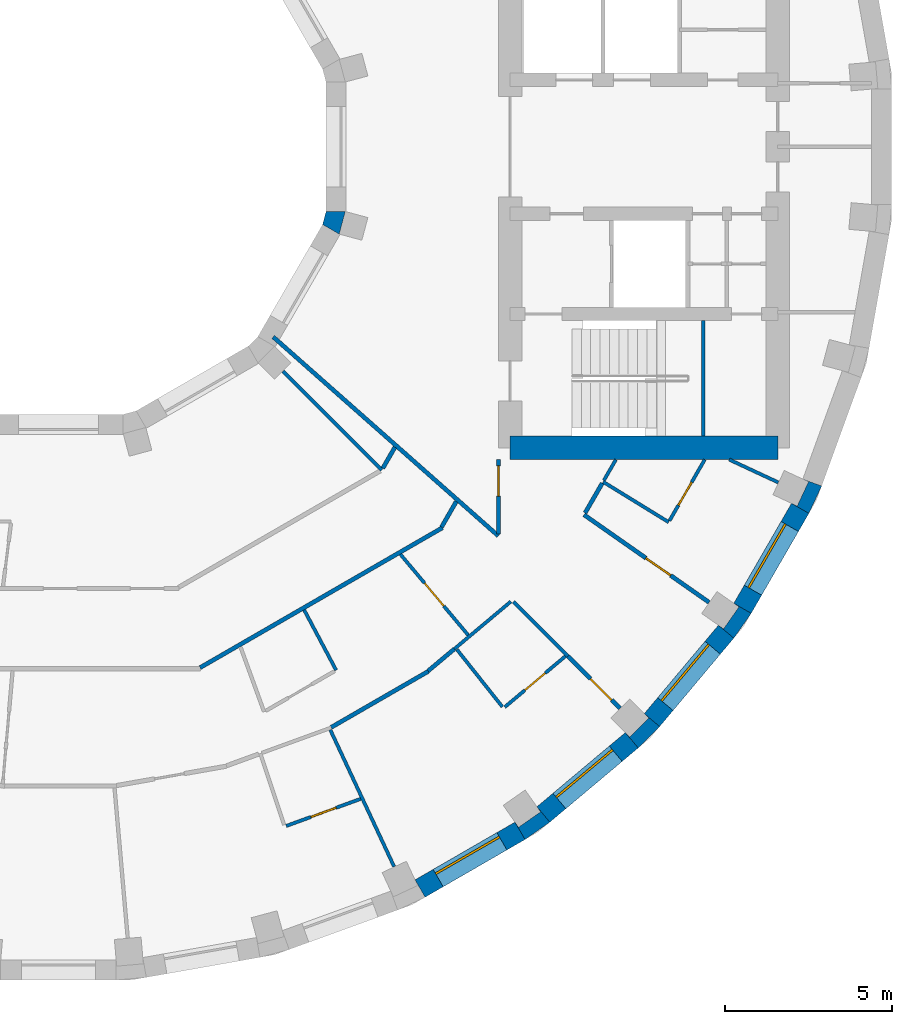
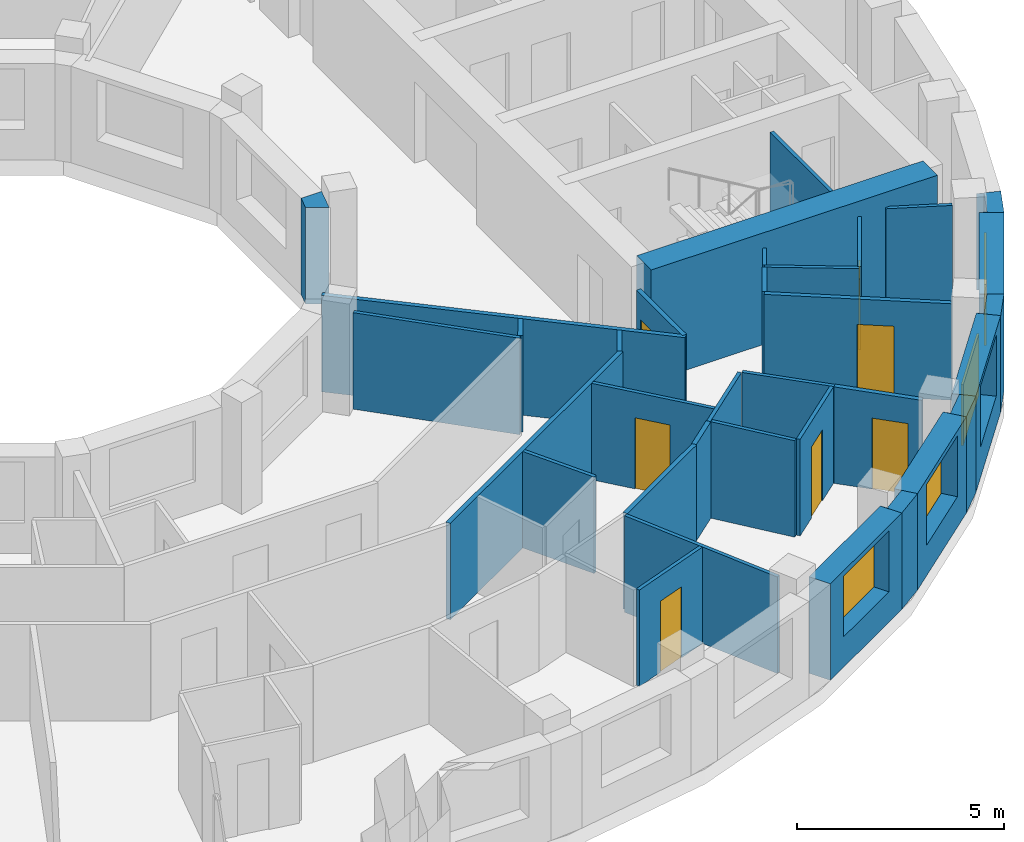
# One storey, part 7 of 13: 34 walls, 7 doors, 4 windows, 11 openings.
"""IFC4 building model written with IfcOpenShell, lengths in metres."""

from ifc_helpers import new_model, si_unit, direction, frame, frame_2d, origin, place, context, subcontext, project, spatial, polyline, rectangle, outline, extrude, material, layer, layer_set, type_object, element, fill, save


model = new_model("IFC4")

# Units and contexts
model_context = context("Model", 3, precision=1e-05, world=origin(), true_north=direction((0.0, 1.0)))
body_context = subcontext(model_context, "Body", "Model", "MODEL_VIEW")
ifc_project = project(units=[si_unit("LENGTHUNIT", "METRE"), si_unit("AREAUNIT", "SQUARE_METRE"), si_unit("VOLUMEUNIT", "CUBIC_METRE"), si_unit("PLANEANGLEUNIT", "RADIAN"), si_unit("MASSUNIT", "GRAM", prefix="KILO")], contexts=[model_context])

# Site, building, storey
site_placement = place(None, origin())
site = spatial("IfcSite", under=ifc_project, at=site_placement, CompositionType="ELEMENT")
building_placement = place(site_placement, origin())
building = spatial("IfcBuilding", under=site, at=building_placement, Name="Saqina Gate Tower", CompositionType="ELEMENT")
storey_placement = place(building_placement, frame((0.0, 0.0, 207.0)))
storey = spatial("IfcBuildingStorey", under=building, at=storey_placement, Name="L59", CompositionType="ELEMENT", Elevation=207.0)

# Walls
ifc_material_1 = material(Name="Brick masonry (buff)", Category="masonry")
wall_type_1 = type_object("IfcWallType", Name="BRICK PIER COPING BUFF", PredefinedType="SOLIDWALL", material=ifc_material_1)
wall_1_placement = place(storey_placement, origin())
element("IfcWall", 1, at=wall_1_placement, inside=storey, type_object=wall_type_1, Name="Pier cap L59 column 31", PredefinedType="SOLIDWALL", context=body_context, shape_type="SweptSolid", body=[
    extrude(outline(polyline([(13.9462890625, -20.705810546875), (14.687255859375, -20.18701171875), (14.301513671875, -19.727294921875), (14.408935546875, -19.880859375), (13.753662109375, -20.339599609375), (13.646240234375, -20.186279296875), (13.9462890625, -20.705810546875)])), origin(), (0.0, 0.0, 1.0), 2.85009765625),
])
wall_2_placement = place(storey_placement, origin())
element("IfcWall", 2, at=wall_2_placement, inside=storey, type_object=wall_type_1, Name="Pier cap L59 column 32", PredefinedType="SOLIDWALL", context=body_context, shape_type="SweptSolid", body=[
    extrude(outline(polyline([(17.969482421875, -17.329833984375), (17.510009765625, -16.944091796875), (17.642333984375, -17.07666015625), (17.07666015625, -17.642333984375), (16.944091796875, -17.510009765625), (17.329833984375, -17.969482421875), (17.969482421875, -17.329833984375)])), origin(), (0.0, 0.0, 1.0), 2.85009765625),
])
wall_3_placement = place(storey_placement, origin())
element("IfcWall", 3, at=wall_3_placement, inside=storey, type_object=wall_type_1, Name="Pier cap L59 column 33", PredefinedType="SOLIDWALL", context=body_context, shape_type="SweptSolid", body=[
    extrude(outline(polyline([(20.18701171875, -14.687255859375), (20.705810546875, -13.9462890625), (20.186279296875, -13.646240234375), (20.339599609375, -13.753662109375), (19.880859375, -14.408935546875), (19.727294921875, -14.301513671875), (20.18701171875, -14.687255859375)])), origin(), (0.0, 0.0, 1.0), 2.85009765625),
])
wall_4_placement = place(storey_placement, origin())
element("IfcWall", 4, at=wall_4_placement, inside=storey, type_object=wall_type_1, Name="Pier cap L59 column 34", PredefinedType="SOLIDWALL", context=body_context, shape_type="SweptSolid", body=[
    extrude(outline(polyline([(22.81298828125, -10.138916015625), (22.249267578125, -9.93359375), (22.4189453125, -10.0126953125), (22.080810546875, -10.73779296875), (21.9111328125, -10.65869140625), (22.4306640625, -10.958740234375), (22.81298828125, -10.138916015625)])), origin(), (0.0, 0.0, 1.0), 2.85009765625),
])

# Wall, opening, window
ifc_material_2 = material(Name="Brick masonry (buff)", Category="masonry")
ifc_layer_1 = layer(ifc_material_2, 0.60009765625)
ifc_layer_set_1 = layer_set([ifc_layer_1], Name="FW-BRICK-BUFF")
wall_type_2 = type_object("IfcWallType", Name="FW-BRICK-BUFF", PredefinedType="SOLIDWALL", material=ifc_layer_set_1)
wall_5_placement = place(storey_placement, frame((10.80859375, -22.1708984375, 0.0), z_axis=(0.0, 0.0, 1.0), x_axis=(0.86602648383, 0.499998129301, 0.0)))
wall_5 = element("IfcWall", 5, at=wall_5_placement, inside=storey, type_object=wall_type_2, Name="Facade wall L59 facet 30", PredefinedType="SOLIDWALL", context=body_context, shape_type="SweptSolid", body=[
    extrude(rectangle(XDim=3.44970703125, YDim=0.60009765625, at=frame_2d((1.724853515625, 0.0))), origin(), (0.0, 0.0, 1.0), 2.85009765625),
])
opening_1_placement = place(wall_5_placement, frame((0.625, 0.0, 0.89990234375)))
opening_1 = element("IfcOpeningElement", 6, at=opening_1_placement, cuts=wall_5, Name="Opening G17-W19", PredefinedType="OPENING", context=body_context, shape_type="SweptSolid", body=[
    extrude(rectangle(XDim=2.199951171875, YDim=1.800048828125, at=frame_2d((1.10009765625, 0.89990234375))), frame((0.0, 0.31201171875, 0.0), z_axis=(0.0, -1.0, 0.0), x_axis=(1.0, 0.0, 0.0)), (0.0, 0.0, 1.0), 0.6240234375),
])
ifc_material_3 = material(Name="Aluminium glazing", Category="aluminium")
window_type = type_object("IfcWindowType", Name="WN-C", PartitioningType="SINGLE_PANEL", PredefinedType="WINDOW", material=ifc_material_3)
window_1_placement = place(opening_1_placement, origin())
window_1 = element("IfcWindow", 7, at=window_1_placement, inside=storey, type_object=window_type, Name="Window L59 facet 30", OverallHeight=1.800048828125, OverallWidth=2.199951171875, PartitioningType="SINGLE_PANEL", PredefinedType="WINDOW", context=body_context, shape_type="SweptSolid", body=[
    extrude(rectangle(XDim=2.199951171875, YDim=1.800048828125, at=frame_2d((1.10009765625, 0.89990234375))), frame((0.0, 0.179931640625, 0.0), z_axis=(0.0, -1.0, 0.0), x_axis=(1.0, 0.0, 0.0)), (0.0, 0.0, 1.0), 0.06005859375),
])
fill(opening_1, window_1)

wall_6_placement = place(storey_placement, frame((14.494384765625, -19.95703125, 0.0), z_axis=(0.0, 0.0, 1.0), x_axis=(0.766058884809, 0.642770398358, 0.0)))
wall_6 = element("IfcWall", 8, at=wall_6_placement, inside=storey, type_object=wall_type_2, Name="Facade wall L59 facet 31", PredefinedType="SOLIDWALL", context=body_context, shape_type="SweptSolid", body=[
    extrude(rectangle(XDim=3.449462890625, YDim=0.60009765625, at=frame_2d((1.724609375, 0.0))), origin(), (0.0, 0.0, 1.0), 2.85009765625),
])
opening_2_placement = place(wall_6_placement, frame((0.625, 0.0, 0.89990234375)))
opening_2 = element("IfcOpeningElement", 9, at=opening_2_placement, cuts=wall_6, Name="Opening G17-W20", PredefinedType="OPENING", context=body_context, shape_type="SweptSolid", body=[
    extrude(rectangle(XDim=2.199951171875, YDim=1.800048828125, at=frame_2d((1.10009765625, 0.89990234375))), frame((0.0, 0.31201171875, 0.0), z_axis=(0.0, -1.0, 0.0), x_axis=(1.0, 0.0, 0.0)), (0.0, 0.0, 1.0), 0.6240234375),
])
window_2_placement = place(opening_2_placement, origin())
window_2 = element("IfcWindow", 10, at=window_2_placement, inside=storey, type_object=window_type, Name="Window L59 facet 31", OverallHeight=1.800048828125, OverallWidth=2.199951171875, PartitioningType="SINGLE_PANEL", PredefinedType="WINDOW", context=body_context, shape_type="SweptSolid", body=[
    extrude(rectangle(XDim=2.199951171875, YDim=1.800048828125, at=frame_2d((1.10009765625, 0.89990234375))), frame((0.0, 0.179931640625, 0.0), z_axis=(0.0, -1.0, 0.0), x_axis=(1.0, 0.0, 0.0)), (0.0, 0.0, 1.0), 0.06005859375),
])
fill(opening_2, window_2)

wall_7_placement = place(storey_placement, frame((17.73974609375, -17.136962890625, 0.0), z_axis=(0.0, 0.0, 1.0), x_axis=(0.642770398358, 0.766058884809, 0.0)))
wall_7 = element("IfcWall", 11, at=wall_7_placement, inside=storey, type_object=wall_type_2, Name="Facade wall L59 facet 32", PredefinedType="SOLIDWALL", context=body_context, shape_type="SweptSolid", body=[
    extrude(rectangle(XDim=3.449462890625, YDim=0.60009765625, at=frame_2d((1.724609375, 0.0))), origin(), (0.0, 0.0, 1.0), 2.85009765625),
])
opening_3_placement = place(wall_7_placement, frame((0.625, 0.0, 0.89990234375)))
opening_3 = element("IfcOpeningElement", 12, at=opening_3_placement, cuts=wall_7, Name="Opening G17-W21", PredefinedType="OPENING", context=body_context, shape_type="SweptSolid", body=[
    extrude(rectangle(XDim=2.199951171875, YDim=1.800048828125, at=frame_2d((1.10009765625, 0.89990234375))), frame((0.0, 0.31201171875, 0.0), z_axis=(0.0, -1.0, 0.0), x_axis=(1.0, 0.0, 0.0)), (0.0, 0.0, 1.0), 0.6240234375),
])
window_3_placement = place(opening_3_placement, origin())
window_3 = element("IfcWindow", 13, at=window_3_placement, inside=storey, type_object=window_type, Name="Window L59 facet 32", OverallHeight=1.800048828125, OverallWidth=2.199951171875, PartitioningType="SINGLE_PANEL", PredefinedType="WINDOW", context=body_context, shape_type="SweptSolid", body=[
    extrude(rectangle(XDim=2.199951171875, YDim=1.800048828125, at=frame_2d((1.10009765625, 0.89990234375))), frame((0.0, 0.179931640625, 0.0), z_axis=(0.0, -1.0, 0.0), x_axis=(1.0, 0.0, 0.0)), (0.0, 0.0, 1.0), 0.06005859375),
])
fill(opening_3, window_3)

wall_8_placement = place(storey_placement, frame((20.446044921875, -13.796142578125, 0.0), z_axis=(0.0, 0.0, 1.0), x_axis=(0.499998129301, 0.86602648383, 0.0)))
wall_8 = element("IfcWall", 14, at=wall_8_placement, inside=storey, type_object=wall_type_2, Name="Facade wall L59 facet 33", PredefinedType="SOLIDWALL", context=body_context, shape_type="SweptSolid", body=[
    extrude(rectangle(XDim=3.44970703125, YDim=0.60009765625, at=frame_2d((1.724853515625, 0.0))), origin(), (0.0, 0.0, 1.0), 2.85009765625),
])
opening_4_placement = place(wall_8_placement, frame((0.625, 0.0, 0.89990234375)))
opening_4 = element("IfcOpeningElement", 15, at=opening_4_placement, cuts=wall_8, Name="Opening G17-W22", PredefinedType="OPENING", context=body_context, shape_type="SweptSolid", body=[
    extrude(rectangle(XDim=2.199951171875, YDim=1.800048828125, at=frame_2d((1.10009765625, 0.89990234375))), frame((0.0, 0.31201171875, 0.0), z_axis=(0.0, -1.0, 0.0), x_axis=(1.0, 0.0, 0.0)), (0.0, 0.0, 1.0), 0.6240234375),
])
window_4_placement = place(opening_4_placement, origin())
window_4 = element("IfcWindow", 16, at=window_4_placement, inside=storey, type_object=window_type, Name="Window L59 facet 33", OverallHeight=1.800048828125, OverallWidth=2.199951171875, PartitioningType="SINGLE_PANEL", PredefinedType="WINDOW", context=body_context, shape_type="SweptSolid", body=[
    extrude(rectangle(XDim=2.199951171875, YDim=1.800048828125, at=frame_2d((1.10009765625, 0.89990234375))), frame((0.0, 0.179931640625, 0.0), z_axis=(0.0, -1.0, 0.0), x_axis=(1.0, 0.0, 0.0)), (0.0, 0.0, 1.0), 0.06005859375),
])
fill(opening_4, window_4)

# Walls
ifc_material_4 = material(Name="Gypsum board on steel studs, 100 mm", Category="steel")
ifc_layer_2 = layer(ifc_material_4, 0.10009765625)
ifc_layer_set_2 = layer_set([ifc_layer_2], Name="PARTITION 100")
wall_type_3 = type_object("IfcWallType", Name="PARTITION 100", PredefinedType="PARTITIONING", material=ifc_layer_set_2)
wall_9_placement = place(storey_placement, frame((8.125244140625, -17.4267578125, 0.0), z_axis=(0.0, 0.0, 1.0), x_axis=(0.422852881861, -0.906198344901, 0.0)))
element("IfcWall", 17, at=wall_9_placement, inside=storey, type_object=wall_type_3, Name="PARTITION PW3-07", PredefinedType="PARTITIONING", context=body_context, shape_type="SweptSolid", body=[
    extrude(rectangle(XDim=4.51220703125, YDim=0.10009765625, at=frame_2d((2.256103515625, 0.0))), origin(), (0.0, 0.0, 1.0), 2.85009765625),
])
wall_10_placement = place(storey_placement, frame((7.344970703125, -13.845458984375, 0.0), z_axis=(0.0, 0.0, 1.0), x_axis=(0.46899451783, -0.883201076905, 0.0)))
element("IfcWall", 18, at=wall_10_placement, inside=storey, type_object=wall_type_3, Name="PARTITION PW3-09", PredefinedType="PARTITIONING", context=body_context, shape_type="SweptSolid", body=[
    extrude(rectangle(XDim=2.036376953125, YDim=0.10009765625, at=frame_2d((1.01806640625, 0.0))), origin(), (0.0, 0.0, 1.0), 2.85009765625),
])
wall_11_placement = place(storey_placement, frame((11.91162109375, -15.028076171875, 0.0), z_axis=(0.0, 0.0, 1.0), x_axis=(0.621158069359, -0.783685302191, 0.0)))
element("IfcWall", 19, at=wall_11_placement, inside=storey, type_object=wall_type_3, Name="PARTITION PW3-13", PredefinedType="PARTITIONING", context=body_context, shape_type="SweptSolid", body=[
    extrude(rectangle(XDim=2.18408203125, YDim=0.10009765625, at=frame_2d((1.092041015625, 0.0))), origin(), (0.0, 0.0, 1.0), 2.85009765625),
])

# Wall, opening, door
wall_12_placement = place(storey_placement, frame((10.222900390625, -12.183837890625, 0.0), z_axis=(0.0, 0.0, 1.0), x_axis=(0.642811941649, -0.766024025519, 0.0)))
wall_12 = element("IfcWall", 20, at=wall_12_placement, inside=storey, type_object=wall_type_3, Name="PARTITION PW3-16", PredefinedType="PARTITIONING", context=body_context, shape_type="SweptSolid", body=[
    extrude(rectangle(XDim=3.1484375, YDim=0.10009765625, at=frame_2d((1.57421875, 0.0))), origin(), (0.0, 0.0, 1.0), 2.85009765625),
])
opening_5_placement = place(wall_12_placement, frame((1.117919921875, 0.0, 0.0)))
opening_5 = element("IfcOpeningElement", 21, at=opening_5_placement, cuts=wall_12, Name="Opening G17-D42", PredefinedType="OPENING", context=body_context, shape_type="SweptSolid", body=[
    extrude(rectangle(XDim=0.89990234375, YDim=2.10009765625, at=frame_2d((0.449951171875, 1.050048828125))), frame((0.0, 0.06201171875, 0.0), z_axis=(0.0, -1.0, 0.0), x_axis=(1.0, 0.0, 0.0)), (0.0, 0.0, 1.0), 0.1240234375),
])
ifc_material_5 = material(Name="Timber door leaf, 900 mm", Category="wood")
door_type_1 = type_object("IfcDoorType", Name="DOOR 900 TIMBER", OperationType="SINGLE_SWING_LEFT", PredefinedType="DOOR", material=ifc_material_5)
door_1_placement = place(opening_5_placement, frame((0.89990234375, 0.0, 0.0), z_axis=(0.0, 0.0, 1.0), x_axis=(-1.0, 0.0, 0.0)))
door_1 = element("IfcDoor", 22, at=door_1_placement, inside=storey, type_object=door_type_1, Name="DOOR G17-D42", OperationType="SINGLE_SWING_RIGHT", OverallHeight=2.10009765625, OverallWidth=0.89990234375, PredefinedType="DOOR", context=body_context, shape_type="SweptSolid", body=[
    extrude(rectangle(XDim=0.89990234375, YDim=2.10009765625, at=frame_2d((0.449951171875, 1.050048828125))), frame((0.0, 0.02490234375, 0.0), z_axis=(0.0, -1.0, 0.0), x_axis=(1.0, 0.0, 0.0)), (0.0, 0.0, 1.0), 0.050048828125),
])
fill(opening_5, door_1)

# Walls
wall_13_placement = place(storey_placement, frame((13.596923828125, -13.597900390625, 0.0), z_axis=(0.0, 0.0, 1.0), x_axis=(0.707265532937, -0.706947993787, 0.0)))
element("IfcWall", 23, at=wall_13_placement, inside=storey, type_object=wall_type_3, Name="PARTITION PW3-21", PredefinedType="PARTITIONING", context=body_context, shape_type="SweptSolid", body=[
    extrude(rectangle(XDim=2.306640625, YDim=0.10009765625, at=frame_2d((1.1533203125, 0.0))), origin(), (0.0, 0.0, 1.0), 2.85009765625),
])
wall_14_placement = place(storey_placement, frame((6.7119140625, -6.7119140625, 0.0), z_axis=(0.0, 0.0, 1.0), x_axis=(0.707106781187, -0.707106781187, 0.0)))
element("IfcWall", 24, at=wall_14_placement, inside=storey, type_object=wall_type_3, Name="PARTITION PW3-22", PredefinedType="PARTITIONING", context=body_context, shape_type="SweptSolid", body=[
    extrude(rectangle(XDim=4.173583984375, YDim=0.10009765625, at=frame_2d((2.0869140625, 0.0))), origin(), (0.0, 0.0, 1.0), 2.85009765625),
])
wall_15_placement = place(storey_placement, frame((16.279052734375, -10.013916015625, 0.0), z_axis=(0.0, 0.0, 1.0), x_axis=(0.851672886374, -0.524073749214, 0.0)))
element("IfcWall", 25, at=wall_15_placement, inside=storey, type_object=wall_type_3, Name="PARTITION PW3-27", PredefinedType="PARTITIONING", context=body_context, shape_type="SweptSolid", body=[
    extrude(rectangle(XDim=2.30126953125, YDim=0.10009765625, at=frame_2d((1.150634765625, 0.0))), origin(), (0.0, 0.0, 1.0), 2.85009765625),
])
wall_16_placement = place(storey_placement, frame((20.051025390625, -9.35009765625, 0.0), z_axis=(0.0, 0.0, 1.0), x_axis=(0.906329754533, -0.422571149096, 0.0)))
element("IfcWall", 26, at=wall_16_placement, inside=storey, type_object=wall_type_3, Name="PARTITION PW3-32", PredefinedType="PARTITIONING", context=body_context, shape_type="SweptSolid", body=[
    extrude(rectangle(XDim=1.615966796875, YDim=0.10009765625, at=frame_2d((0.80810546875, 0.0))), origin(), (0.0, 0.0, 1.0), 2.85009765625),
])

# Wall, opening, door
wall_17_placement = place(storey_placement, frame((6.806884765625, -20.301025390625, 0.0), z_axis=(0.0, 0.0, 1.0), x_axis=(0.939763340539, 0.341825779863, 0.0)))
wall_17 = element("IfcWall", 27, at=wall_17_placement, inside=storey, type_object=wall_type_3, Name="PARTITION PW3-39", PredefinedType="PARTITIONING", context=body_context, shape_type="SweptSolid", body=[
    extrude(rectangle(XDim=2.369873046875, YDim=0.10009765625, at=frame_2d((1.18505859375, 0.0))), origin(), (0.0, 0.0, 1.0), 2.85009765625),
])
opening_6_placement = place(wall_17_placement, frame((0.785400390625, 0.0, 0.0)))
opening_6 = element("IfcOpeningElement", 28, at=opening_6_placement, cuts=wall_17, Name="Opening G17-D40", PredefinedType="OPENING", context=body_context, shape_type="SweptSolid", body=[
    extrude(rectangle(XDim=0.800048828125, YDim=2.10009765625, at=frame_2d((0.39990234375, 1.050048828125))), frame((0.0, 0.06201171875, 0.0), z_axis=(0.0, -1.0, 0.0), x_axis=(1.0, 0.0, 0.0)), (0.0, 0.0, 1.0), 0.1240234375),
])
ifc_material_6 = material(Name="Timber door leaf, 800 mm", Category="wood")
door_type_2 = type_object("IfcDoorType", Name="DOOR 800 TIMBER", OperationType="SINGLE_SWING_LEFT", PredefinedType="DOOR", material=ifc_material_6)
door_2_placement = place(opening_6_placement, frame((0.800048828125, 0.0, 0.0), z_axis=(0.0, 0.0, 1.0), x_axis=(-1.0, 0.0, 0.0)))
door_2 = element("IfcDoor", 29, at=door_2_placement, inside=storey, type_object=door_type_2, Name="DOOR G17-D40", OperationType="SINGLE_SWING_LEFT", OverallHeight=2.10009765625, OverallWidth=0.800048828125, PredefinedType="DOOR", context=body_context, shape_type="SweptSolid", body=[
    extrude(rectangle(XDim=0.800048828125, YDim=2.10009765625, at=frame_2d((0.39990234375, 1.050048828125))), frame((0.0, 0.02490234375, 0.0), z_axis=(0.0, -1.0, 0.0), x_axis=(1.0, 0.0, 0.0)), (0.0, 0.0, 1.0), 0.050048828125),
])
fill(opening_6, door_2)

wall_18_placement = place(storey_placement, frame((13.33935546875, -16.748779296875, 0.0), z_axis=(0.0, 0.0, 1.0), x_axis=(0.76592805341, 0.642926292042, 0.0)))
wall_18 = element("IfcWall", 30, at=wall_18_placement, inside=storey, type_object=wall_type_3, Name="PARTITION PW3-49", PredefinedType="PARTITIONING", context=body_context, shape_type="SweptSolid", body=[
    extrude(rectangle(XDim=2.369873046875, YDim=0.10009765625, at=frame_2d((1.18505859375, 0.0))), origin(), (0.0, 0.0, 1.0), 2.85009765625),
])
opening_7_placement = place(wall_18_placement, frame((0.785888671875, 0.0, 0.0)))
opening_7 = element("IfcOpeningElement", 31, at=opening_7_placement, cuts=wall_18, Name="Opening G17-D43", PredefinedType="OPENING", context=body_context, shape_type="SweptSolid", body=[
    extrude(rectangle(XDim=0.800048828125, YDim=2.10009765625, at=frame_2d((0.39990234375, 1.050048828125))), frame((0.0, 0.06201171875, 0.0), z_axis=(0.0, -1.0, 0.0), x_axis=(1.0, 0.0, 0.0)), (0.0, 0.0, 1.0), 0.1240234375),
])
door_3_placement = place(opening_7_placement, frame((0.800048828125, 0.0, 0.0), z_axis=(0.0, 0.0, 1.0), x_axis=(-1.0, 0.0, 0.0)))
door_3 = element("IfcDoor", 32, at=door_3_placement, inside=storey, type_object=door_type_2, Name="DOOR G17-D43", OperationType="SINGLE_SWING_LEFT", OverallHeight=2.10009765625, OverallWidth=0.800048828125, PredefinedType="DOOR", context=body_context, shape_type="SweptSolid", body=[
    extrude(rectangle(XDim=0.800048828125, YDim=2.10009765625, at=frame_2d((0.39990234375, 1.050048828125))), frame((0.0, 0.02490234375, 0.0), z_axis=(0.0, -1.0, 0.0), x_axis=(1.0, 0.0, 0.0)), (0.0, 0.0, 1.0), 0.050048828125),
])
fill(opening_7, door_3)

# Wall
wall_19_placement = place(storey_placement, frame((11.833740234375, -15.01025390625, 0.0), z_axis=(0.0, 0.0, 1.0), x_axis=(0.766038513467, 0.642794676305, 0.0)))
element("IfcWall", 33, at=wall_19_placement, inside=storey, type_object=wall_type_3, Name="PARTITION PW3-50", PredefinedType="PARTITIONING", context=body_context, shape_type="SweptSolid", body=[
    extrude(rectangle(XDim=2.204833984375, YDim=0.10009765625, at=frame_2d((1.1025390625, 0.0))), origin(), (0.0, 0.0, 1.0), 2.85009765625),
])

# Wall, opening, door
wall_20_placement = place(storey_placement, frame((18.263916015625, -11.1767578125, 0.0), z_axis=(0.0, 0.0, 1.0), x_axis=(0.499849385254, 0.866112343787, 0.0)))
wall_20 = element("IfcWall", 34, at=wall_20_placement, inside=storey, type_object=wall_type_3, Name="PARTITION PW3-57", PredefinedType="PARTITIONING", context=body_context, shape_type="SweptSolid", body=[
    extrude(rectangle(XDim=2.109130859375, YDim=0.10009765625, at=frame_2d((1.0546875, 0.0))), origin(), (0.0, 0.0, 1.0), 2.85009765625),
])
opening_8_placement = place(wall_20_placement, frame((0.529541015625, 0.0, 0.0)))
opening_8 = element("IfcOpeningElement", 35, at=opening_8_placement, cuts=wall_20, Name="Opening G17-D47", PredefinedType="OPENING", context=body_context, shape_type="SweptSolid", body=[
    extrude(rectangle(XDim=0.800048828125, YDim=2.10009765625, at=frame_2d((0.39990234375, 1.050048828125))), frame((0.0, 0.06201171875, 0.0), z_axis=(0.0, -1.0, 0.0), x_axis=(1.0, 0.0, 0.0)), (0.0, 0.0, 1.0), 0.1240234375),
])
door_4_placement = place(opening_8_placement, frame((0.800048828125, 0.0, 0.0), z_axis=(0.0, 0.0, 1.0), x_axis=(-1.0, 0.0, 0.0)))
door_4 = element("IfcDoor", 36, at=door_4_placement, inside=storey, type_object=door_type_2, Name="DOOR G17-D47", OperationType="SINGLE_SWING_RIGHT", OverallHeight=2.10009765625, OverallWidth=0.800048828125, PredefinedType="DOOR", context=body_context, shape_type="SweptSolid", body=[
    extrude(rectangle(XDim=0.800048828125, YDim=2.10009765625, at=frame_2d((0.39990234375, 1.050048828125))), frame((0.0, 0.02490234375, 0.0), z_axis=(0.0, -1.0, 0.0), x_axis=(1.0, 0.0, 0.0)), (0.0, 0.0, 1.0), 0.050048828125),
])
fill(opening_8, door_4)

# Wall
wall_21_placement = place(storey_placement, frame((16.303955078125, -9.970703125, 0.0), z_axis=(0.0, 0.0, 1.0), x_axis=(0.499840435016, 0.866117509073, 0.0)))
element("IfcWall", 37, at=wall_21_placement, inside=storey, type_object=wall_type_3, Name="PARTITION PW3-58", PredefinedType="PARTITIONING", context=body_context, shape_type="SweptSolid", body=[
    extrude(rectangle(XDim=0.716552734375, YDim=0.10009765625, at=frame_2d((0.3583984375, 0.0))), origin(), (0.0, 0.0, 1.0), 2.85009765625),
])

# Wall, opening, door
ifc_material_7 = material(Name="Gypsum board on steel studs, 125 mm, fire rated", Category="steel")
ifc_layer_3 = layer(ifc_material_7, 0.125)
ifc_layer_set_3 = layer_set([ifc_layer_3], Name="PARTITION EI 30 125")
wall_type_4 = type_object("IfcWallType", Name="PARTITION EI 30 125", PredefinedType="PARTITIONING", material=ifc_layer_set_3)
wall_22_placement = place(storey_placement, frame((15.228271484375, -15.228515625, 0.0), z_axis=(0.0, 0.0, 1.0), x_axis=(0.707328305851, -0.7068851871, 0.0)))
wall_22 = element("IfcWall", 38, at=wall_22_placement, inside=storey, type_object=wall_type_4, Name="PARTITION PW1-07", PredefinedType="PARTITIONING", context=body_context, shape_type="SweptSolid", body=[
    extrude(rectangle(XDim=2.203857421875, YDim=0.125, at=frame_2d((1.10205078125, 0.0))), origin(), (0.0, 0.0, 1.0), 2.85009765625),
])
opening_9_placement = place(wall_22_placement, frame((0.954833984375, 0.0, 0.0)))
opening_9 = element("IfcOpeningElement", 39, at=opening_9_placement, cuts=wall_22, Name="Opening G17-D44", PredefinedType="OPENING", context=body_context, shape_type="SweptSolid", body=[
    extrude(rectangle(XDim=0.89990234375, YDim=2.10009765625, at=frame_2d((0.449951171875, 1.050048828125))), frame((0.0, 0.074462890625, 0.0), z_axis=(0.0, -1.0, 0.0), x_axis=(1.0, 0.0, 0.0)), (0.0, 0.0, 1.0), 0.14892578125),
])
ifc_material_8 = material(Name="Fire door leaf EI 30, 900 mm")
door_type_3 = type_object("IfcDoorType", Name="DOOR 900 EI 30", OperationType="SINGLE_SWING_LEFT", PredefinedType="DOOR", material=ifc_material_8)
door_5_placement = place(opening_9_placement, origin())
door_5 = element("IfcDoor", 40, at=door_5_placement, inside=storey, type_object=door_type_3, Name="DOOR G17-D44", OperationType="SINGLE_SWING_RIGHT", OverallHeight=2.10009765625, OverallWidth=0.89990234375, PredefinedType="DOOR", context=body_context, shape_type="SweptSolid", body=[
    extrude(rectangle(XDim=0.89990234375, YDim=2.10009765625, at=frame_2d((0.449951171875, 1.050048828125))), frame((0.0, 0.02490234375, 0.0), z_axis=(0.0, -1.0, 0.0), x_axis=(1.0, 0.0, 0.0)), (0.0, 0.0, 1.0), 0.050048828125),
])
fill(opening_9, door_5)

# Wall
wall_23_placement = place(storey_placement, frame((6.417724609375, -5.682373046875, 0.0), z_axis=(0.0, 0.0, 1.0), x_axis=(0.749233096006, -0.662306400278, 0.0)))
element("IfcWall", 41, at=wall_23_placement, inside=storey, type_object=wall_type_4, Name="PARTITION PW1-09", PredefinedType="PARTITIONING", context=body_context, shape_type="SweptSolid", body=[
    extrude(rectangle(XDim=8.98193359375, YDim=0.125, at=frame_2d((4.490966796875, 0.0))), origin(), (0.0, 0.0, 1.0), 2.85009765625),
])

# Wall, opening, door
wall_24_placement = place(storey_placement, frame((15.710205078125, -10.999755859375, 0.0), z_axis=(0.0, 0.0, 1.0), x_axis=(0.819118758933, -0.57362396983, 0.0)))
wall_24 = element("IfcWall", 42, at=wall_24_placement, inside=storey, type_object=wall_type_4, Name="PARTITION PW1-14", PredefinedType="PARTITIONING", context=body_context, shape_type="SweptSolid", body=[
    extrude(rectangle(XDim=4.561767578125, YDim=0.125, at=frame_2d((2.28076171875, 0.0))), origin(), (0.0, 0.0, 1.0), 2.85009765625),
])
opening_10_placement = place(wall_24_placement, frame((2.25927734375, 0.0, 0.0)))
opening_10 = element("IfcOpeningElement", 43, at=opening_10_placement, cuts=wall_24, Name="Opening G17-D46", PredefinedType="OPENING", context=body_context, shape_type="SweptSolid", body=[
    extrude(rectangle(XDim=0.89990234375, YDim=2.10009765625, at=frame_2d((0.449951171875, 1.050048828125))), frame((0.0, 0.074462890625, 0.0), z_axis=(0.0, -1.0, 0.0), x_axis=(1.0, 0.0, 0.0)), (0.0, 0.0, 1.0), 0.14892578125),
])
door_6_placement = place(opening_10_placement, frame((0.89990234375, 0.0, 0.0), z_axis=(0.0, 0.0, 1.0), x_axis=(-1.0, 0.0, 0.0)))
door_6 = element("IfcDoor", 44, at=door_6_placement, inside=storey, type_object=door_type_3, Name="DOOR G17-D46", OperationType="SINGLE_SWING_LEFT", OverallHeight=2.10009765625, OverallWidth=0.89990234375, PredefinedType="DOOR", context=body_context, shape_type="SweptSolid", body=[
    extrude(rectangle(XDim=0.89990234375, YDim=2.10009765625, at=frame_2d((0.449951171875, 1.050048828125))), frame((0.0, 0.02490234375, 0.0), z_axis=(0.0, -1.0, 0.0), x_axis=(1.0, 0.0, 0.0)), (0.0, 0.0, 1.0), 0.050048828125),
])
fill(opening_10, door_6)

# Walls
wall_25_placement = place(storey_placement, frame((8.150390625, -17.354736328125, 0.0), z_axis=(0.0, 0.0, 1.0), x_axis=(0.86608012654, 0.499905205426, 0.0)))
element("IfcWall", 45, at=wall_25_placement, inside=storey, type_object=wall_type_4, Name="PARTITION PW1-28", PredefinedType="PARTITIONING", context=body_context, shape_type="SweptSolid", body=[
    extrude(rectangle(XDim=3.353759765625, YDim=0.125, at=frame_2d((1.6767578125, 0.0))), origin(), (0.0, 0.0, 1.0), 2.85009765625),
])
wall_26_placement = place(storey_placement, frame((4.234130859375, -15.56884765625, 0.0), z_axis=(0.0, 0.0, 1.0), x_axis=(0.866024799292, 0.50000104701, 0.0)))
element("IfcWall", 46, at=wall_26_placement, inside=storey, type_object=wall_type_4, Name="PARTITION PW1-29", PredefinedType="PARTITIONING", context=body_context, shape_type="SweptSolid", body=[
    extrude(rectangle(XDim=8.36962890625, YDim=0.125, at=frame_2d((4.184814453125, 0.0))), origin(), (0.0, 0.0, 1.0), 2.85009765625),
])
wall_27_placement = place(storey_placement, frame((11.0478515625, -15.669921875, 0.0), z_axis=(0.0, 0.0, 1.0), x_axis=(0.765934498954, 0.642918613288, 0.0)))
element("IfcWall", 47, at=wall_27_placement, inside=storey, type_object=wall_type_4, Name="PARTITION PW1-34", PredefinedType="PARTITIONING", context=body_context, shape_type="SweptSolid", body=[
    extrude(rectangle(XDim=1.026123046875, YDim=0.125, at=frame_2d((0.51318359375, 0.0))), origin(), (0.0, 0.0, 1.0), 2.85009765625),
])
wall_28_placement = place(storey_placement, frame((15.7421875, -10.944091796875, 0.0), z_axis=(0.0, 0.0, 1.0), x_axis=(0.499832553123, 0.866122057702, 0.0)))
element("IfcWall", 48, at=wall_28_placement, inside=storey, type_object=wall_type_4, Name="PARTITION PW1-40", PredefinedType="PARTITIONING", context=body_context, shape_type="SweptSolid", body=[
    extrude(rectangle(XDim=1.023681640625, YDim=0.125, at=frame_2d((0.51171875, 0.0))), origin(), (0.0, 0.0, 1.0), 2.85009765625),
])
wall_29_placement = place(storey_placement, frame((11.451171875, -11.365966796875, 0.0), z_axis=(0.0, 0.0, 1.0), x_axis=(0.500018690203, 0.866014612722, 0.0)))
element("IfcWall", 49, at=wall_29_placement, inside=storey, type_object=wall_type_4, Name="PARTITION PW1-41", PredefinedType="PARTITIONING", context=body_context, shape_type="SweptSolid", body=[
    extrude(rectangle(XDim=0.8798828125, YDim=0.125, at=frame_2d((0.43994140625, 0.0))), origin(), (0.0, 0.0, 1.0), 2.85009765625),
])
wall_30_placement = place(storey_placement, frame((9.6943359375, -9.60888671875, 0.0), z_axis=(0.0, 0.0, 1.0), x_axis=(0.500333617031, 0.865832704204, 0.0)))
element("IfcWall", 50, at=wall_30_placement, inside=storey, type_object=wall_type_4, Name="PARTITION PW1-42", PredefinedType="PARTITIONING", context=body_context, shape_type="SweptSolid", body=[
    extrude(rectangle(XDim=0.72607421875, YDim=0.125, at=frame_2d((0.363037109375, 0.0))), origin(), (0.0, 0.0, 1.0), 2.85009765625),
])

# Wall, opening, door
wall_31_placement = place(storey_placement, frame((13.14990234375, -11.5673828125, 0.0), z_axis=(0.0, 0.0, 1.0), x_axis=(0.0, 1.0, 0.0)))
wall_31 = element("IfcWall", 51, at=wall_31_placement, inside=storey, type_object=wall_type_4, Name="PARTITION PW1-46", PredefinedType="PARTITIONING", context=body_context, shape_type="SweptSolid", body=[
    extrude(rectangle(XDim=2.21630859375, YDim=0.125, at=frame_2d((1.108154296875, 0.0))), origin(), (0.0, 0.0, 1.0), 2.85009765625),
])
opening_11_placement = place(wall_31_placement, frame((1.126953125, 0.0, 0.0)))
opening_11 = element("IfcOpeningElement", 52, at=opening_11_placement, cuts=wall_31, Name="Opening G17-D45", PredefinedType="OPENING", context=body_context, shape_type="SweptSolid", body=[
    extrude(rectangle(XDim=0.89990234375, YDim=2.10009765625, at=frame_2d((0.449951171875, 1.050048828125))), frame((0.0, 0.074462890625, 0.0), z_axis=(0.0, -1.0, 0.0), x_axis=(1.0, 0.0, 0.0)), (0.0, 0.0, 1.0), 0.14892578125),
])
door_7_placement = place(opening_11_placement, frame((0.89990234375, 0.0, 0.0), z_axis=(0.0, 0.0, 1.0), x_axis=(-1.0, 0.0, 0.0)))
door_7 = element("IfcDoor", 53, at=door_7_placement, inside=storey, type_object=door_type_3, Name="DOOR G17-D45", OperationType="SINGLE_SWING_LEFT", OverallHeight=2.10009765625, OverallWidth=0.89990234375, PredefinedType="DOOR", context=body_context, shape_type="SweptSolid", body=[
    extrude(rectangle(XDim=0.89990234375, YDim=2.10009765625, at=frame_2d((0.449951171875, 1.050048828125))), frame((0.0, 0.02490234375, 0.0), z_axis=(0.0, -1.0, 0.0), x_axis=(1.0, 0.0, 0.0)), (0.0, 0.0, 1.0), 0.050048828125),
])
fill(opening_11, door_7)

# Walls
ifc_material_9 = material(Name="Autoclaved aerated concrete block", Category="concrete")
ifc_layer_4 = layer(ifc_material_9, 0.10009765625)
ifc_layer_set_4 = layer_set([ifc_layer_4], Name="STAIR ENCLOSURE WALL")
wall_type_5 = type_object("IfcWallType", Name="STAIR ENCLOSURE WALL", PredefinedType="PARTITIONING", material=ifc_layer_set_4)
wall_32_placement = place(storey_placement, frame((19.27001953125, -8.64990234375, 0.0), z_axis=(0.0, 0.0, 1.0), x_axis=(0.0, 1.0, 0.0)))
element("IfcWall", 54, at=wall_32_placement, inside=storey, type_object=wall_type_5, Name="L59-CP-E14", PredefinedType="PARTITIONING", context=body_context, shape_type="SweptSolid", body=[
    extrude(rectangle(XDim=3.449951171875, YDim=0.10009765625, at=frame_2d((1.72509765625, 0.0))), origin(), (0.0, 0.0, 1.0), 2.85009765625),
])
ifc_material_10 = material(Name="Concrete C60/75", Category="concrete")
ifc_layer_5 = layer(ifc_material_10, 0.699951171875)
ifc_layer_set_5 = layer_set([ifc_layer_5], Name="Concrete C60/75")
wall_type_6 = type_object("IfcWallType", Name="STR-CORE WALL-C-O", PredefinedType="SHEAR", material=ifc_layer_set_5)
wall_33_placement = place(storey_placement, frame((13.5, -9.0, 0.0), z_axis=(0.0, 0.0, 1.0), x_axis=(1.0, 0.0, 0.0)))
element("IfcWall", 55, at=wall_33_placement, inside=storey, type_object=wall_type_6, Name="CORE WALL L59 E-SE", PredefinedType="SHEAR", context=body_context, shape_type="SweptSolid", body=[
    extrude(rectangle(XDim=8.0, YDim=0.699951171875, at=frame_2d((4.0, 0.0))), origin(), (0.0, 0.0, 1.0), 3.300048828125),
])
ifc_material_11 = material(Name="Glazed ceramic tile", Category="ceramic")
wall_type_7 = type_object("IfcWallType", Name="TILE PIER COPING", PredefinedType="SOLIDWALL", material=ifc_material_11)
wall_34_placement = place(storey_placement, origin())
element("IfcWall", 56, at=wall_34_placement, inside=storey, type_object=wall_type_7, Name="Well pier cap L59 column 12", PredefinedType="SOLIDWALL", context=body_context, shape_type="SweptSolid", body=[
    extrude(outline(polyline([(8.573486328125, -1.934814453125), (8.0, -1.934814453125), (7.895751953125, -2.32421875), (8.392333984375, -2.611083984375), (8.573486328125, -1.934814453125)])), origin(), (0.0, 0.0, 1.0), 2.85009765625),
])

save(model, "model.ifc")
